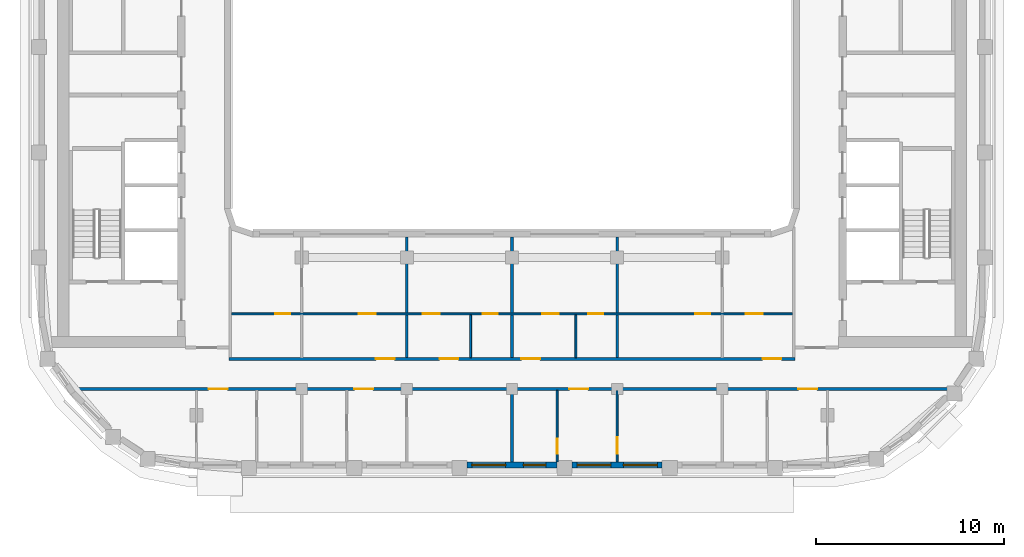
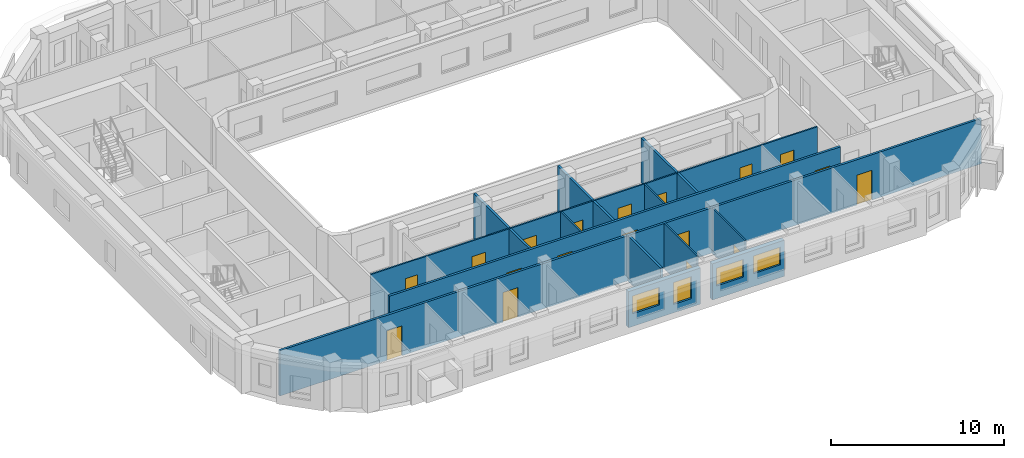
# One storey, part 3 of 16: 18 doors, 16 walls, 4 windows, 22 openings.
"""IFC4 building model written with IfcOpenShell, lengths in metres."""

import ifcopenshell
import ifcopenshell.guid

model = None  # the IFC model being written
_history = None  # IfcOwnerHistory: only IFC2X3 demands one
_inside = {}  # id of a spatial element -> (the spatial element, [elements in it])
_under = {}  # id of a project, library or spatial element -> (it, [spatial elements below it])
_declared = {}  # id of a project -> (the project, [libraries it declares])
_typed = {}  # id of a type object -> (the type object, [elements of that type])
_made_of = {}  # id of a material, layer set ... -> (it, [elements and type objects made of it])


def new_model(schema):
    """Start an empty IFC model of exactly this schema.

    Asked for "IFC4X3", IfcOpenShell would pick the latest addendum, in which some entities
    have other attributes; the version numbers below select the first issue.
    IFC2X3 requires an IfcOwnerHistory on every rooted entity: one is made here for all.
    """
    global model, _history
    if schema == "IFC4X3":
        model = ifcopenshell.file(schema_version=(4, 3, 0, 0))
    else:
        model = ifcopenshell.file(schema=schema)
    _inside.clear()
    _under.clear()
    _declared.clear()
    _typed.clear()
    _made_of.clear()
    _history = None
    if model.schema == "IFC2X3":
        org = make("IfcOrganization", Name="unknown")
        user = make(
            "IfcPersonAndOrganization",
            ThePerson=make("IfcPerson", FamilyName="unknown"),
            TheOrganization=org,
        )
        app = make(
            "IfcApplication",
            ApplicationDeveloper=org,
            Version="unknown",
            ApplicationFullName="unknown",
            ApplicationIdentifier="unknown",
        )
        _history = make(
            "IfcOwnerHistory",
            OwningUser=user,
            OwningApplication=app,
            ChangeAction="ADDED",
            CreationDate=0,
        )
    return model


def make(cls, **values):
    """One entity of the class cls with the attributes given. An attribute that is None is left unset."""
    return model.create_entity(
        cls, **{name: value for name, value in values.items() if value is not None}
    )


def rooted(cls, **values):
    """An entity with a GlobalId (a new one), such as an element, a storey or a relation."""
    return make(cls, GlobalId=ifcopenshell.guid.new(), OwnerHistory=_history, **values)


def si_unit(unit_type, name, prefix=None):
    """IfcSIUnit, for example si_unit("LENGTHUNIT", "METRE", prefix="MILLI")."""
    return make("IfcSIUnit", UnitType=unit_type, Prefix=prefix, Name=name)


def assignment(units):
    """IfcUnitAssignment: the units of a project."""
    return None if units is None else make("IfcUnitAssignment", Units=units)


def point(xyz):
    """IfcCartesianPoint."""
    return None if xyz is None else make("IfcCartesianPoint", Coordinates=xyz)


def direction(xyz):
    """IfcDirection."""
    return None if xyz is None else make("IfcDirection", DirectionRatios=xyz)


def frame(location, z_axis=None, x_axis=None):
    """IfcAxis2Placement3D, a coordinate frame: its origin and axes. An axis left out is left unset."""
    return make(
        "IfcAxis2Placement3D",
        Location=point(location),
        Axis=direction(z_axis),
        RefDirection=direction(x_axis),
    )


def frame_2d(location, x_axis=None):
    """IfcAxis2Placement2D, a coordinate frame in the plane: its origin and x axis."""
    return make(
        "IfcAxis2Placement2D", Location=point(location), RefDirection=direction(x_axis)
    )


def origin():
    """The frame at (0, 0, 0) with its axes left unset."""
    return frame((0.0, 0.0, 0.0))


def place(relative_to, where):
    """IfcLocalPlacement: puts the frame where relative to a parent placement (None: the world)."""
    return make(
        "IfcLocalPlacement", PlacementRelTo=relative_to, RelativePlacement=where
    )


def context(
    kind, dimensions, precision=None, world=None, true_north=None, identifier=None
):
    """IfcGeometricRepresentationContext, for example the 3D "Model" context."""
    return make(
        "IfcGeometricRepresentationContext",
        ContextIdentifier=identifier,
        ContextType=kind,
        CoordinateSpaceDimension=dimensions,
        Precision=precision,
        WorldCoordinateSystem=world,
        TrueNorth=true_north,
    )


def subcontext(parent, identifier, kind, view, scale=None):
    """IfcGeometricRepresentationSubContext, for example "Body" below "Model"."""
    return make(
        "IfcGeometricRepresentationSubContext",
        ContextIdentifier=identifier,
        ContextType=kind,
        ParentContext=parent,
        TargetScale=scale,
        TargetView=view,
    )


def project(units=None, contexts=None):
    """IfcProject with its units and contexts."""
    return rooted(
        "IfcProject",
        Name="project",
        RepresentationContexts=contexts,
        UnitsInContext=assignment(units),
    )


def spatial(cls, under=None, at=None, **own):
    """A site, building, storey or space (cls), placed at a placement, below another one or the project."""
    s = rooted(cls, ObjectPlacement=at, **own)
    if under is not None:
        _under.setdefault(under.id(), (under, []))[1].append(s)
    return s


def profile(cls, at=None, kind="AREA", **sizes):
    """A parametric profile (cls). Its sizes go by their IFC names, for example OverallWidth=200.0."""
    return make(cls, ProfileType=kind, Position=at, **sizes)


def rectangle(**sizes):
    """IfcRectangleProfileDef."""
    return profile("IfcRectangleProfileDef", **sizes)


def extrude(swept, where, along, depth):
    """IfcExtrudedAreaSolid: the profile swept, set in the frame where, extruded along a direction by depth."""
    return make(
        "IfcExtrudedAreaSolid",
        SweptArea=swept,
        Position=where,
        ExtrudedDirection=direction(along),
        Depth=depth,
    )


def shape(context_of_items, identifier, shape_type, items):
    """IfcShapeRepresentation: the items that make up one representation, for example the "Body"."""
    return make(
        "IfcShapeRepresentation",
        ContextOfItems=context_of_items,
        RepresentationIdentifier=identifier,
        RepresentationType=shape_type,
        Items=items,
    )


def material(Name=None, Category=None):
    """IfcMaterial."""
    return make("IfcMaterial", Name=Name, Category=Category)


def layer(
    of_material, thickness, ventilated=None, Name=None, Category=None, Priority=None
):
    """IfcMaterialLayer: one layer of a wall or slab, of a material (None: an air gap)."""
    return make(
        "IfcMaterialLayer",
        Material=of_material,
        LayerThickness=thickness,
        IsVentilated=ventilated,
        Name=Name,
        Category=Category,
        Priority=Priority,
    )


def layer_set(layers, Name=None):
    """IfcMaterialLayerSet."""
    return make("IfcMaterialLayerSet", MaterialLayers=layers, LayerSetName=Name)


def made_of(thing, what):
    """Note that an element or type object is made of a material, layer set ...; save() writes the relation."""
    if what is not None:
        _made_of.setdefault(what.id(), (what, []))[1].append(thing)
    return thing


def type_object(cls, material=None, **own):
    """A type object (cls), such as IfcWallType, which elements share."""
    return made_of(rooted(cls, **own), material)


def element(
    cls,
    number,
    at=None,
    inside=None,
    cuts=None,
    type_object=None,
    material=None,
    context=None,
    identifier="Body",
    shape_type=None,
    held_by="IfcProductDefinitionShape",
    body=None,
    shapes=None,
    **own,
):
    """One element of the class cls, such as IfcWall. Its Tag is "e" and its number.

    at: its placement. inside: the storey or other place that contains it. cuts: it is an
    opening in that element (IfcRelVoidsElement). A single representation is given by context,
    identifier, shape_type and body (its items); several are given by shapes. held_by: the class
    of the entity that holds the representations. save() writes the other relations.
    """
    e = rooted(cls, Tag="e%d" % number, ObjectPlacement=at, **own)
    if body is not None:
        shapes = [shape(context, identifier, shape_type, body)]
    if shapes is not None:
        e.Representation = make(held_by, Representations=shapes)
    if inside is not None:
        _inside.setdefault(inside.id(), (inside, []))[1].append(e)
    if cuts is not None:
        rooted(
            "IfcRelVoidsElement", RelatingBuildingElement=cuts, RelatedOpeningElement=e
        )
    if type_object is not None:
        _typed.setdefault(type_object.id(), (type_object, []))[1].append(e)
    return made_of(e, material)


def fill(opening, filler):
    """IfcRelFillsElement: the door or window that sits in an opening."""
    return rooted(
        "IfcRelFillsElement",
        RelatingOpeningElement=opening,
        RelatedBuildingElement=filler,
    )


def aggregate(whole, parts):
    """IfcRelAggregates: a whole, such as a stair, and the parts it consists of."""
    return rooted("IfcRelAggregates", RelatingObject=whole, RelatedObjects=parts)


def save(model, path):
    """Write the relations noted so far, then the file.

    IfcRelAggregates (storeys below a building ...), IfcRelContainedInSpatialStructure (elements
    in a storey), IfcRelDefinesByType, IfcRelAssociatesMaterial and IfcRelDeclares: one each for
    every whole, place, type object, material and project.
    """
    for whole, parts in _under.values():
        aggregate(whole, parts)
    for where, things in _inside.values():
        rooted(
            "IfcRelContainedInSpatialStructure",
            RelatedElements=things,
            RelatingStructure=where,
        )
    for kind, things in _typed.values():
        rooted("IfcRelDefinesByType", RelatedObjects=things, RelatingType=kind)
    for what, things in _made_of.values():
        rooted("IfcRelAssociatesMaterial", RelatedObjects=things, RelatingMaterial=what)
    for by, libraries in _declared.values():
        rooted("IfcRelDeclares", RelatingContext=by, RelatedDefinitions=libraries)
    model.write(path)


model = new_model("IFC4")

# Units and contexts
model_context = context("Model", 3, precision=1e-05, world=origin(), true_north=direction((0.0, 1.0)))
body_context = subcontext(model_context, "Body", "Model", "MODEL_VIEW")
ifc_project = project(units=[si_unit("LENGTHUNIT", "METRE"), si_unit("AREAUNIT", "SQUARE_METRE"), si_unit("VOLUMEUNIT", "CUBIC_METRE"), si_unit("PLANEANGLEUNIT", "RADIAN"), si_unit("MASSUNIT", "GRAM", prefix="KILO")], contexts=[model_context])

# Site, building, storey
site_placement = place(None, origin())
site = spatial("IfcSite", under=ifc_project, at=site_placement, CompositionType="ELEMENT")
building_placement = place(site_placement, origin())
building = spatial("IfcBuilding", under=site, at=building_placement, Name="Kiln Ring Residences", CompositionType="ELEMENT")
storey_placement = place(building_placement, frame((0.0, 0.0, 255.699951171875)))
storey = spatial("IfcBuildingStorey", under=building, at=storey_placement, Name="L66", CompositionType="ELEMENT", Elevation=255.699951171875)

# Wall, openings, windows
ifc_material_1 = material(Name="Brick masonry, dark clay brick", Category="masonry")
ifc_layer_1 = layer(ifc_material_1, 0.300048828125)
ifc_layer_set_1 = layer_set([ifc_layer_1], Name="EW-300 BRICK WALL")
wall_type_1 = type_object("IfcWallType", Name="EW-300 BRICK WALL", PredefinedType="SOLIDWALL", material=ifc_layer_set_1)
wall_1_placement = place(storey_placement, frame((-2.39990234375, -19.449951171875, 0.0), z_axis=(0.0, 0.0, 1.0), x_axis=(1.0, 0.0, 0.0)))
wall_1 = element("IfcWall", 1, at=wall_1_placement, inside=storey, type_object=wall_type_1, Name="Facade wall L66 7", PredefinedType="SOLIDWALL", context=body_context, shape_type="SweptSolid", body=[
    extrude(rectangle(XDim=4.7998046875, YDim=0.300048828125, at=frame_2d((2.39990234375, 0.0))), origin(), (0.0, 0.0, 1.0), 2.550048828125),
])
opening_1_placement = place(wall_1_placement, frame((0.262451171875, 0.0, 0.89990234375)))
opening_1 = element("IfcOpeningElement", 2, at=opening_1_placement, cuts=wall_1, Name="Opening W2", PredefinedType="OPENING", context=body_context, shape_type="SweptSolid", body=[
    extrude(rectangle(XDim=1.800048828125, YDim=1.25, at=frame_2d((0.89990234375, 0.625))), frame((0.0, 0.159912109375, 0.0), z_axis=(0.0, -1.0, 0.0), x_axis=(1.0, 0.0, 0.0)), (0.0, 0.0, 1.0), 0.320068359375),
])
opening_2_placement = place(wall_1_placement, frame((3.0, 0.0, 0.60009765625)))
opening_2 = element("IfcOpeningElement", 3, at=opening_2_placement, cuts=wall_1, Name="Opening W1", PredefinedType="OPENING", context=body_context, shape_type="SweptSolid", body=[
    extrude(rectangle(XDim=1.199951171875, YDim=1.550048828125, at=frame_2d((0.60009765625, 0.77490234375))), frame((0.0, 0.159912109375, 0.0), z_axis=(0.0, -1.0, 0.0), x_axis=(1.0, 0.0, 0.0)), (0.0, 0.0, 1.0), 0.320068359375),
])
ifc_material_2 = material(Name="Aluminium frame with double glazing", Category="aluminium")
window_type_1 = type_object("IfcWindowType", Name="WINDOW 1200 x 1550", PartitioningType="SINGLE_PANEL", PredefinedType="WINDOW", material=ifc_material_2)
window_1_placement = place(opening_2_placement, origin())
window_1 = element("IfcWindow", 4, at=window_1_placement, inside=storey, type_object=window_type_1, Name="Window L66 9", OverallHeight=1.550048828125, OverallWidth=1.199951171875, PartitioningType="SINGLE_PANEL", PredefinedType="WINDOW", context=body_context, shape_type="SweptSolid", body=[
    extrude(rectangle(XDim=1.199951171875, YDim=1.550048828125, at=frame_2d((0.60009765625, 0.77490234375))), frame((0.0, 0.030029296875, 0.0), z_axis=(0.0, -1.0, 0.0), x_axis=(1.0, 0.0, 0.0)), (0.0, 0.0, 1.0), 0.06005859375),
])
fill(opening_2, window_1)
ifc_material_3 = material(Name="Aluminium frame with double glazing", Category="aluminium")
window_type_2 = type_object("IfcWindowType", Name="WINDOW 1800 x 1250", PartitioningType="SINGLE_PANEL", PredefinedType="WINDOW", material=ifc_material_3)
window_2_placement = place(opening_1_placement, origin())
window_2 = element("IfcWindow", 5, at=window_2_placement, inside=storey, type_object=window_type_2, Name="Window L66 8", OverallHeight=1.25, OverallWidth=1.800048828125, PartitioningType="SINGLE_PANEL", PredefinedType="WINDOW", context=body_context, shape_type="SweptSolid", body=[
    extrude(rectangle(XDim=1.800048828125, YDim=1.25, at=frame_2d((0.89990234375, 0.625))), frame((0.0, 0.030029296875, 0.0), z_axis=(0.0, -1.0, 0.0), x_axis=(1.0, 0.0, 0.0)), (0.0, 0.0, 1.0), 0.06005859375),
])
fill(opening_1, window_2)

wall_2_placement = place(storey_placement, frame((3.199951171875, -19.449951171875, 0.0), z_axis=(0.0, 0.0, 1.0), x_axis=(1.0, 0.0, 0.0)))
wall_2 = element("IfcWall", 6, at=wall_2_placement, inside=storey, type_object=wall_type_1, Name="Facade wall L66 8", PredefinedType="SOLIDWALL", context=body_context, shape_type="SweptSolid", body=[
    extrude(rectangle(XDim=4.800048828125, YDim=0.300048828125, at=frame_2d((2.39990234375, 0.0))), origin(), (0.0, 0.0, 1.0), 2.550048828125),
])
opening_3_placement = place(wall_2_placement, frame((0.262451171875, 0.0, 0.89990234375)))
opening_3 = element("IfcOpeningElement", 7, at=opening_3_placement, cuts=wall_2, Name="Opening W2", PredefinedType="OPENING", context=body_context, shape_type="SweptSolid", body=[
    extrude(rectangle(XDim=1.800048828125, YDim=1.25, at=frame_2d((0.89990234375, 0.625))), frame((0.0, 0.159912109375, 0.0), z_axis=(0.0, -1.0, 0.0), x_axis=(1.0, 0.0, 0.0)), (0.0, 0.0, 1.0), 0.320068359375),
])
opening_4_placement = place(wall_2_placement, frame((2.737548828125, 0.0, 0.89990234375)))
opening_4 = element("IfcOpeningElement", 8, at=opening_4_placement, cuts=wall_2, Name="Opening W2", PredefinedType="OPENING", context=body_context, shape_type="SweptSolid", body=[
    extrude(rectangle(XDim=1.800048828125, YDim=1.25, at=frame_2d((0.89990234375, 0.625))), frame((0.0, 0.159912109375, 0.0), z_axis=(0.0, -1.0, 0.0), x_axis=(1.0, 0.0, 0.0)), (0.0, 0.0, 1.0), 0.320068359375),
])
window_3_placement = place(opening_3_placement, origin())
window_3 = element("IfcWindow", 9, at=window_3_placement, inside=storey, type_object=window_type_2, Name="Window L66 10", OverallHeight=1.25, OverallWidth=1.800048828125, PartitioningType="SINGLE_PANEL", PredefinedType="WINDOW", context=body_context, shape_type="SweptSolid", body=[
    extrude(rectangle(XDim=1.800048828125, YDim=1.25, at=frame_2d((0.89990234375, 0.625))), frame((0.0, 0.030029296875, 0.0), z_axis=(0.0, -1.0, 0.0), x_axis=(1.0, 0.0, 0.0)), (0.0, 0.0, 1.0), 0.06005859375),
])
fill(opening_3, window_3)
window_4_placement = place(opening_4_placement, origin())
window_4 = element("IfcWindow", 10, at=window_4_placement, inside=storey, type_object=window_type_2, Name="Window L66 11", OverallHeight=1.25, OverallWidth=1.800048828125, PartitioningType="SINGLE_PANEL", PredefinedType="WINDOW", context=body_context, shape_type="SweptSolid", body=[
    extrude(rectangle(XDim=1.800048828125, YDim=1.25, at=frame_2d((0.89990234375, 0.625))), frame((0.0, 0.030029296875, 0.0), z_axis=(0.0, -1.0, 0.0), x_axis=(1.0, 0.0, 0.0)), (0.0, 0.0, 1.0), 0.06005859375),
])
fill(opening_4, window_4)

# Wall, openings, doors
ifc_material_4 = material(Name="Gypsum board on steel studs", Category="steel")
ifc_layer_2 = layer(ifc_material_4, 0.10009765625)
ifc_layer_set_2 = layer_set([ifc_layer_2], Name="PARTITION-100")
wall_type_2 = type_object("IfcWallType", Name="PARTITION-100", PredefinedType="PARTITIONING", material=ifc_layer_set_2)
wall_3_placement = place(storey_placement, frame((-14.925048828125, -11.39990234375, 0.0), z_axis=(0.0, 0.0, 1.0), x_axis=(1.0, 0.0, 0.0)))
wall_3 = element("IfcWall", 11, at=wall_3_placement, inside=storey, type_object=wall_type_2, Name="Partition 004", PredefinedType="PARTITIONING", context=body_context, shape_type="SweptSolid", body=[
    extrude(rectangle(XDim=29.85009765625, YDim=0.10009765625, at=frame_2d((14.925048828125, 0.0))), origin(), (0.0, 0.0, 1.0), 3.199951171875),
])
opening_5_placement = place(wall_3_placement, frame((2.325927734375, 0.0, 0.0)))
opening_5 = element("IfcOpeningElement", 12, at=opening_5_placement, cuts=wall_3, Name="Opening L66-D032", PredefinedType="OPENING", context=body_context, shape_type="SweptSolid", body=[
    extrude(rectangle(XDim=0.800048828125, YDim=2.10009765625, at=frame_2d((0.39990234375, 1.050048828125))), frame((0.0, 0.06005859375, 0.0), z_axis=(0.0, -1.0, 0.0), x_axis=(1.0, 0.0, 0.0)), (0.0, 0.0, 1.0), 0.1201171875),
])
opening_6_placement = place(wall_3_placement, frame((6.77490234375, 0.0, 0.0)))
opening_6 = element("IfcOpeningElement", 13, at=opening_6_placement, cuts=wall_3, Name="Opening L66-D033", PredefinedType="OPENING", context=body_context, shape_type="SweptSolid", body=[
    extrude(rectangle(XDim=0.89990234375, YDim=2.10009765625, at=frame_2d((0.449951171875, 1.050048828125))), frame((0.0, 0.06005859375, 0.0), z_axis=(0.0, -1.0, 0.0), x_axis=(1.0, 0.0, 0.0)), (0.0, 0.0, 1.0), 0.1201171875),
])
opening_7_placement = place(wall_3_placement, frame((13.375, 0.0, 0.0)))
opening_7 = element("IfcOpeningElement", 14, at=opening_7_placement, cuts=wall_3, Name="Opening L66-D036", PredefinedType="OPENING", context=body_context, shape_type="SweptSolid", body=[
    extrude(rectangle(XDim=0.800048828125, YDim=2.10009765625, at=frame_2d((0.39990234375, 1.050048828125))), frame((0.0, 0.06005859375, 0.0), z_axis=(0.0, -1.0, 0.0), x_axis=(1.0, 0.0, 0.0)), (0.0, 0.0, 1.0), 0.1201171875),
])
opening_8_placement = place(wall_3_placement, frame((10.175048828125, 0.0, 0.0)))
opening_8 = element("IfcOpeningElement", 15, at=opening_8_placement, cuts=wall_3, Name="Opening L66-D037", PredefinedType="OPENING", context=body_context, shape_type="SweptSolid", body=[
    extrude(rectangle(XDim=0.89990234375, YDim=2.10009765625, at=frame_2d((0.449951171875, 1.050048828125))), frame((0.0, 0.06005859375, 0.0), z_axis=(0.0, -1.0, 0.0), x_axis=(1.0, 0.0, 0.0)), (0.0, 0.0, 1.0), 0.1201171875),
])
opening_9_placement = place(wall_3_placement, frame((18.97509765625, 0.0, 0.0)))
opening_9 = element("IfcOpeningElement", 16, at=opening_9_placement, cuts=wall_3, Name="Opening L66-D039", PredefinedType="OPENING", context=body_context, shape_type="SweptSolid", body=[
    extrude(rectangle(XDim=0.800048828125, YDim=2.10009765625, at=frame_2d((0.39990234375, 1.050048828125))), frame((0.0, 0.06005859375, 0.0), z_axis=(0.0, -1.0, 0.0), x_axis=(1.0, 0.0, 0.0)), (0.0, 0.0, 1.0), 0.1201171875),
])
opening_10_placement = place(wall_3_placement, frame((16.52490234375, 0.0, 0.0)))
opening_10 = element("IfcOpeningElement", 17, at=opening_10_placement, cuts=wall_3, Name="Opening L66-D040", PredefinedType="OPENING", context=body_context, shape_type="SweptSolid", body=[
    extrude(rectangle(XDim=0.89990234375, YDim=2.10009765625, at=frame_2d((0.449951171875, 1.050048828125))), frame((0.0, 0.06005859375, 0.0), z_axis=(0.0, -1.0, 0.0), x_axis=(1.0, 0.0, 0.0)), (0.0, 0.0, 1.0), 0.1201171875),
])
opening_11_placement = place(wall_3_placement, frame((24.675048828125, 0.0, 0.0)))
opening_11 = element("IfcOpeningElement", 18, at=opening_11_placement, cuts=wall_3, Name="Opening L66-D042", PredefinedType="OPENING", context=body_context, shape_type="SweptSolid", body=[
    extrude(rectangle(XDim=0.800048828125, YDim=2.10009765625, at=frame_2d((0.39990234375, 1.050048828125))), frame((0.0, 0.06005859375, 0.0), z_axis=(0.0, -1.0, 0.0), x_axis=(1.0, 0.0, 0.0)), (0.0, 0.0, 1.0), 0.1201171875),
])
opening_12_placement = place(wall_3_placement, frame((27.3740234375, 0.0, 0.0)))
opening_12 = element("IfcOpeningElement", 19, at=opening_12_placement, cuts=wall_3, Name="Opening L66-D043", PredefinedType="OPENING", context=body_context, shape_type="SweptSolid", body=[
    extrude(rectangle(XDim=0.89990234375, YDim=2.10009765625, at=frame_2d((0.449951171875, 1.050048828125))), frame((0.0, 0.06005859375, 0.0), z_axis=(0.0, -1.0, 0.0), x_axis=(1.0, 0.0, 0.0)), (0.0, 0.0, 1.0), 0.1201171875),
])
ifc_material_5 = material(Name="Timber door leaf", Category="wood")
door_type_1 = type_object("IfcDoorType", Name="FLAT-DOOR-800-PL", OperationType="SINGLE_SWING_LEFT", PredefinedType="DOOR", material=ifc_material_5)
door_1_placement = place(opening_5_placement, origin())
door_1 = element("IfcDoor", 20, at=door_1_placement, inside=storey, type_object=door_type_1, Name="Door L66-D032", OperationType="SINGLE_SWING_RIGHT", OverallHeight=2.10009765625, OverallWidth=0.800048828125, PredefinedType="DOOR", context=body_context, shape_type="SweptSolid", body=[
    extrude(rectangle(XDim=0.800048828125, YDim=2.10009765625, at=frame_2d((0.39990234375, 1.050048828125))), frame((0.0, 0.02490234375, 0.0), z_axis=(0.0, -1.0, 0.0), x_axis=(1.0, 0.0, 0.0)), (0.0, 0.0, 1.0), 0.050048828125),
])
fill(opening_5, door_1)
door_2_placement = place(opening_7_placement, origin())
door_2 = element("IfcDoor", 21, at=door_2_placement, inside=storey, type_object=door_type_1, Name="Door L66-D036", OperationType="SINGLE_SWING_RIGHT", OverallHeight=2.10009765625, OverallWidth=0.800048828125, PredefinedType="DOOR", context=body_context, shape_type="SweptSolid", body=[
    extrude(rectangle(XDim=0.800048828125, YDim=2.10009765625, at=frame_2d((0.39990234375, 1.050048828125))), frame((0.0, 0.02490234375, 0.0), z_axis=(0.0, -1.0, 0.0), x_axis=(1.0, 0.0, 0.0)), (0.0, 0.0, 1.0), 0.050048828125),
])
fill(opening_7, door_2)
door_3_placement = place(opening_9_placement, origin())
door_3 = element("IfcDoor", 22, at=door_3_placement, inside=storey, type_object=door_type_1, Name="Door L66-D039", OperationType="SINGLE_SWING_LEFT", OverallHeight=2.10009765625, OverallWidth=0.800048828125, PredefinedType="DOOR", context=body_context, shape_type="SweptSolid", body=[
    extrude(rectangle(XDim=0.800048828125, YDim=2.10009765625, at=frame_2d((0.39990234375, 1.050048828125))), frame((0.0, 0.02490234375, 0.0), z_axis=(0.0, -1.0, 0.0), x_axis=(1.0, 0.0, 0.0)), (0.0, 0.0, 1.0), 0.050048828125),
])
fill(opening_9, door_3)
door_4_placement = place(opening_11_placement, origin())
door_4 = element("IfcDoor", 23, at=door_4_placement, inside=storey, type_object=door_type_1, Name="Door L66-D042", OperationType="SINGLE_SWING_RIGHT", OverallHeight=2.10009765625, OverallWidth=0.800048828125, PredefinedType="DOOR", context=body_context, shape_type="SweptSolid", body=[
    extrude(rectangle(XDim=0.800048828125, YDim=2.10009765625, at=frame_2d((0.39990234375, 1.050048828125))), frame((0.0, 0.02490234375, 0.0), z_axis=(0.0, -1.0, 0.0), x_axis=(1.0, 0.0, 0.0)), (0.0, 0.0, 1.0), 0.050048828125),
])
fill(opening_11, door_4)
ifc_material_6 = material(Name="Timber door leaf", Category="wood")
door_type_2 = type_object("IfcDoorType", Name="FLAT-DOOR-900-PL", OperationType="SINGLE_SWING_LEFT", PredefinedType="DOOR", material=ifc_material_6)
door_5_placement = place(opening_6_placement, origin())
door_5 = element("IfcDoor", 24, at=door_5_placement, inside=storey, type_object=door_type_2, Name="Door L66-D033", OperationType="SINGLE_SWING_LEFT", OverallHeight=2.10009765625, OverallWidth=0.89990234375, PredefinedType="DOOR", context=body_context, shape_type="SweptSolid", body=[
    extrude(rectangle(XDim=0.89990234375, YDim=2.10009765625, at=frame_2d((0.449951171875, 1.050048828125))), frame((0.0, 0.02490234375, 0.0), z_axis=(0.0, -1.0, 0.0), x_axis=(1.0, 0.0, 0.0)), (0.0, 0.0, 1.0), 0.050048828125),
])
fill(opening_6, door_5)
door_6_placement = place(opening_8_placement, origin())
door_6 = element("IfcDoor", 25, at=door_6_placement, inside=storey, type_object=door_type_2, Name="Door L66-D037", OperationType="SINGLE_SWING_RIGHT", OverallHeight=2.10009765625, OverallWidth=0.89990234375, PredefinedType="DOOR", context=body_context, shape_type="SweptSolid", body=[
    extrude(rectangle(XDim=0.89990234375, YDim=2.10009765625, at=frame_2d((0.449951171875, 1.050048828125))), frame((0.0, 0.02490234375, 0.0), z_axis=(0.0, -1.0, 0.0), x_axis=(1.0, 0.0, 0.0)), (0.0, 0.0, 1.0), 0.050048828125),
])
fill(opening_8, door_6)
door_7_placement = place(opening_10_placement, origin())
door_7 = element("IfcDoor", 26, at=door_7_placement, inside=storey, type_object=door_type_2, Name="Door L66-D040", OperationType="SINGLE_SWING_LEFT", OverallHeight=2.10009765625, OverallWidth=0.89990234375, PredefinedType="DOOR", context=body_context, shape_type="SweptSolid", body=[
    extrude(rectangle(XDim=0.89990234375, YDim=2.10009765625, at=frame_2d((0.449951171875, 1.050048828125))), frame((0.0, 0.02490234375, 0.0), z_axis=(0.0, -1.0, 0.0), x_axis=(1.0, 0.0, 0.0)), (0.0, 0.0, 1.0), 0.050048828125),
])
fill(opening_10, door_7)
door_8_placement = place(opening_12_placement, origin())
door_8 = element("IfcDoor", 27, at=door_8_placement, inside=storey, type_object=door_type_2, Name="Door L66-D043", OperationType="SINGLE_SWING_RIGHT", OverallHeight=2.10009765625, OverallWidth=0.89990234375, PredefinedType="DOOR", context=body_context, shape_type="SweptSolid", body=[
    extrude(rectangle(XDim=0.89990234375, YDim=2.10009765625, at=frame_2d((0.449951171875, 1.050048828125))), frame((0.0, 0.02490234375, 0.0), z_axis=(0.0, -1.0, 0.0), x_axis=(1.0, 0.0, 0.0)), (0.0, 0.0, 1.0), 0.050048828125),
])
fill(opening_12, door_8)

# Wall
wall_4_placement = place(storey_placement, frame((-2.199951171875, -13.72509765625, 0.0), z_axis=(0.0, 0.0, 1.0), x_axis=(0.0, 1.0, 0.0)))
element("IfcWall", 28, at=wall_4_placement, inside=storey, type_object=wall_type_2, Name="Partition 031", PredefinedType="PARTITIONING", context=body_context, shape_type="SweptSolid", body=[
    extrude(rectangle(XDim=2.275146484375, YDim=0.10009765625, at=frame_2d((1.1376953125, 0.0))), origin(), (0.0, 0.0, 1.0), 3.199951171875),
])

# Wall, opening, door
wall_5_placement = place(storey_placement, frame((2.39990234375, -19.280029296875, 0.0), z_axis=(0.0, 0.0, 1.0), x_axis=(0.0, 1.0, 0.0)))
wall_5 = element("IfcWall", 29, at=wall_5_placement, inside=storey, type_object=wall_type_2, Name="Partition 038", PredefinedType="PARTITIONING", context=body_context, shape_type="SweptSolid", body=[
    extrude(rectangle(XDim=3.804931640625, YDim=0.10009765625, at=frame_2d((1.90234375, 0.0))), origin(), (0.0, 0.0, 1.0), 3.199951171875),
])
opening_13_placement = place(wall_5_placement, frame((0.428955078125, 0.0, 0.0)))
opening_13 = element("IfcOpeningElement", 30, at=opening_13_placement, cuts=wall_5, Name="Opening L66-D052", PredefinedType="OPENING", context=body_context, shape_type="SweptSolid", body=[
    extrude(rectangle(XDim=0.800048828125, YDim=2.10009765625, at=frame_2d((0.39990234375, 1.050048828125))), frame((0.0, 0.06005859375, 0.0), z_axis=(0.0, -1.0, 0.0), x_axis=(1.0, 0.0, 0.0)), (0.0, 0.0, 1.0), 0.1201171875),
])
door_9_placement = place(opening_13_placement, origin())
door_9 = element("IfcDoor", 31, at=door_9_placement, inside=storey, type_object=door_type_1, Name="Door L66-D052", OperationType="SINGLE_SWING_RIGHT", OverallHeight=2.10009765625, OverallWidth=0.800048828125, PredefinedType="DOOR", context=body_context, shape_type="SweptSolid", body=[
    extrude(rectangle(XDim=0.800048828125, YDim=2.10009765625, at=frame_2d((0.39990234375, 1.050048828125))), frame((0.0, 0.02490234375, 0.0), z_axis=(0.0, -1.0, 0.0), x_axis=(1.0, 0.0, 0.0)), (0.0, 0.0, 1.0), 0.050048828125),
])
fill(opening_13, door_9)

# Wall
wall_6_placement = place(storey_placement, frame((3.39990234375, -13.72509765625, 0.0), z_axis=(0.0, 0.0, 1.0), x_axis=(0.0, 1.0, 0.0)))
element("IfcWall", 32, at=wall_6_placement, inside=storey, type_object=wall_type_2, Name="Partition 040", PredefinedType="PARTITIONING", context=body_context, shape_type="SweptSolid", body=[
    extrude(rectangle(XDim=2.275146484375, YDim=0.10009765625, at=frame_2d((1.1376953125, 0.0))), origin(), (0.0, 0.0, 1.0), 3.199951171875),
])

# Wall, opening, door
wall_7_placement = place(storey_placement, frame((5.60009765625, -19.280029296875, 0.0), z_axis=(0.0, 0.0, 1.0), x_axis=(0.0, 1.0, 0.0)))
wall_7 = element("IfcWall", 33, at=wall_7_placement, inside=storey, type_object=wall_type_2, Name="Partition 041", PredefinedType="PARTITIONING", context=body_context, shape_type="SweptSolid", body=[
    extrude(rectangle(XDim=3.804931640625, YDim=0.10009765625, at=frame_2d((1.90234375, 0.0))), origin(), (0.0, 0.0, 1.0), 3.199951171875),
])
opening_14_placement = place(wall_7_placement, frame((0.419921875, 0.0, 0.0)))
opening_14 = element("IfcOpeningElement", 34, at=opening_14_placement, cuts=wall_7, Name="Opening L66-D053", PredefinedType="OPENING", context=body_context, shape_type="SweptSolid", body=[
    extrude(rectangle(XDim=0.89990234375, YDim=2.10009765625, at=frame_2d((0.449951171875, 1.050048828125))), frame((0.0, 0.06005859375, 0.0), z_axis=(0.0, -1.0, 0.0), x_axis=(1.0, 0.0, 0.0)), (0.0, 0.0, 1.0), 0.1201171875),
])
door_10_placement = place(opening_14_placement, origin())
door_10 = element("IfcDoor", 35, at=door_10_placement, inside=storey, type_object=door_type_2, Name="Door L66-D053", OperationType="SINGLE_SWING_LEFT", OverallHeight=2.10009765625, OverallWidth=0.89990234375, PredefinedType="DOOR", context=body_context, shape_type="SweptSolid", body=[
    extrude(rectangle(XDim=0.89990234375, YDim=2.10009765625, at=frame_2d((0.449951171875, 1.050048828125))), frame((0.0, 0.02490234375, 0.0), z_axis=(0.0, -1.0, 0.0), x_axis=(1.0, 0.0, 0.0)), (0.0, 0.0, 1.0), 0.050048828125),
])
fill(opening_14, door_10)

# Wall, openings, doors
ifc_material_7 = material(Name="Brick masonry partition", Category="masonry")
ifc_layer_3 = layer(ifc_material_7, 0.14990234375)
ifc_layer_set_3 = layer_set([ifc_layer_3], Name="PARTITION-150-ei60")
wall_type_3 = type_object("IfcWallType", Name="PARTITION-150-ei60", PredefinedType="PARTITIONING", material=ifc_layer_set_3)
wall_8_placement = place(storey_placement, frame((-23.322021484375, -15.39990234375, 0.0), z_axis=(0.0, 0.0, 1.0), x_axis=(1.0, 0.0, 0.0)))
wall_8 = element("IfcWall", 36, at=wall_8_placement, inside=storey, type_object=wall_type_3, Name="Partition 000", PredefinedType="PARTITIONING", context=body_context, shape_type="SweptSolid", body=[
    extrude(rectangle(XDim=46.8720703125, YDim=0.14990234375, at=frame_2d((23.43603515625, 0.0))), origin(), (0.0, 0.0, 1.0), 3.199951171875),
])
opening_15_placement = place(wall_8_placement, frame((7.172119140625, 0.0, 0.0)))
opening_15 = element("IfcOpeningElement", 37, at=opening_15_placement, cuts=wall_8, Name="Opening L66-D045", PredefinedType="OPENING", context=body_context, shape_type="SweptSolid", body=[
    extrude(rectangle(XDim=1.0, YDim=2.10009765625, at=frame_2d((0.5, 1.050048828125))), frame((0.0, 0.0849609375, 0.0), z_axis=(0.0, -1.0, 0.0), x_axis=(1.0, 0.0, 0.0)), (0.0, 0.0, 1.0), 0.169921875),
])
opening_16_placement = place(wall_8_placement, frame((14.922119140625, 0.0, 0.0)))
opening_16 = element("IfcOpeningElement", 38, at=opening_16_placement, cuts=wall_8, Name="Opening L66-D048", PredefinedType="OPENING", context=body_context, shape_type="SweptSolid", body=[
    extrude(rectangle(XDim=1.0, YDim=2.10009765625, at=frame_2d((0.5, 1.050048828125))), frame((0.0, 0.0849609375, 0.0), z_axis=(0.0, -1.0, 0.0), x_axis=(1.0, 0.0, 0.0)), (0.0, 0.0, 1.0), 0.169921875),
])
opening_17_placement = place(wall_8_placement, frame((26.3720703125, 0.0, 0.0)))
opening_17 = element("IfcOpeningElement", 39, at=opening_17_placement, cuts=wall_8, Name="Opening L66-D051", PredefinedType="OPENING", context=body_context, shape_type="SweptSolid", body=[
    extrude(rectangle(XDim=1.0, YDim=2.10009765625, at=frame_2d((0.5, 1.050048828125))), frame((0.0, 0.0849609375, 0.0), z_axis=(0.0, -1.0, 0.0), x_axis=(1.0, 0.0, 0.0)), (0.0, 0.0, 1.0), 0.169921875),
])
opening_18_placement = place(wall_8_placement, frame((38.572021484375, 0.0, 0.0)))
opening_18 = element("IfcOpeningElement", 40, at=opening_18_placement, cuts=wall_8, Name="Opening L66-D054", PredefinedType="OPENING", context=body_context, shape_type="SweptSolid", body=[
    extrude(rectangle(XDim=1.0, YDim=2.10009765625, at=frame_2d((0.5, 1.050048828125))), frame((0.0, 0.0849609375, 0.0), z_axis=(0.0, -1.0, 0.0), x_axis=(1.0, 0.0, 0.0)), (0.0, 0.0, 1.0), 0.169921875),
])
ifc_material_8 = material(Name="Steel faced fire door leaf", Category="steel")
door_type_3 = type_object("IfcDoorType", Name="FLAT-DOOR-1000-FR", OperationType="SINGLE_SWING_LEFT", PredefinedType="DOOR", material=ifc_material_8)
door_11_placement = place(opening_15_placement, origin())
door_11 = element("IfcDoor", 41, at=door_11_placement, inside=storey, type_object=door_type_3, Name="Door L66-D045", OperationType="SINGLE_SWING_LEFT", OverallHeight=2.10009765625, OverallWidth=1.0, PredefinedType="DOOR", context=body_context, shape_type="SweptSolid", body=[
    extrude(rectangle(XDim=1.0, YDim=2.10009765625, at=frame_2d((0.5, 1.050048828125))), frame((0.0, 0.02490234375, 0.0), z_axis=(0.0, -1.0, 0.0), x_axis=(1.0, 0.0, 0.0)), (0.0, 0.0, 1.0), 0.050048828125),
])
fill(opening_15, door_11)
door_12_placement = place(opening_16_placement, origin())
door_12 = element("IfcDoor", 42, at=door_12_placement, inside=storey, type_object=door_type_3, Name="Door L66-D048", OperationType="SINGLE_SWING_LEFT", OverallHeight=2.10009765625, OverallWidth=1.0, PredefinedType="DOOR", context=body_context, shape_type="SweptSolid", body=[
    extrude(rectangle(XDim=1.0, YDim=2.10009765625, at=frame_2d((0.5, 1.050048828125))), frame((0.0, 0.02490234375, 0.0), z_axis=(0.0, -1.0, 0.0), x_axis=(1.0, 0.0, 0.0)), (0.0, 0.0, 1.0), 0.050048828125),
])
fill(opening_16, door_12)
door_13_placement = place(opening_17_placement, origin())
door_13 = element("IfcDoor", 43, at=door_13_placement, inside=storey, type_object=door_type_3, Name="Door L66-D051", OperationType="SINGLE_SWING_LEFT", OverallHeight=2.10009765625, OverallWidth=1.0, PredefinedType="DOOR", context=body_context, shape_type="SweptSolid", body=[
    extrude(rectangle(XDim=1.0, YDim=2.10009765625, at=frame_2d((0.5, 1.050048828125))), frame((0.0, 0.02490234375, 0.0), z_axis=(0.0, -1.0, 0.0), x_axis=(1.0, 0.0, 0.0)), (0.0, 0.0, 1.0), 0.050048828125),
])
fill(opening_17, door_13)
door_14_placement = place(opening_18_placement, origin())
door_14 = element("IfcDoor", 44, at=door_14_placement, inside=storey, type_object=door_type_3, Name="Door L66-D054", OperationType="SINGLE_SWING_RIGHT", OverallHeight=2.10009765625, OverallWidth=1.0, PredefinedType="DOOR", context=body_context, shape_type="SweptSolid", body=[
    extrude(rectangle(XDim=1.0, YDim=2.10009765625, at=frame_2d((0.5, 1.050048828125))), frame((0.0, 0.02490234375, 0.0), z_axis=(0.0, -1.0, 0.0), x_axis=(1.0, 0.0, 0.0)), (0.0, 0.0, 1.0), 0.050048828125),
])
fill(opening_18, door_14)

wall_9_placement = place(storey_placement, frame((-15.074951171875, -13.800048828125, 0.0), z_axis=(0.0, 0.0, 1.0), x_axis=(1.0, 0.0, 0.0)))
wall_9 = element("IfcWall", 45, at=wall_9_placement, inside=storey, type_object=wall_type_3, Name="Partition 001", PredefinedType="PARTITIONING", context=body_context, shape_type="SweptSolid", body=[
    extrude(rectangle(XDim=30.14990234375, YDim=0.14990234375, at=frame_2d((15.074951171875, 0.0))), origin(), (0.0, 0.0, 1.0), 3.199951171875),
])
opening_19_placement = place(wall_9_placement, frame((7.824951171875, 0.0, 0.0)))
opening_19 = element("IfcOpeningElement", 46, at=opening_19_placement, cuts=wall_9, Name="Opening L66-D031", PredefinedType="OPENING", context=body_context, shape_type="SweptSolid", body=[
    extrude(rectangle(XDim=1.0, YDim=2.10009765625, at=frame_2d((0.5, 1.050048828125))), frame((0.0, 0.0849609375, 0.0), z_axis=(0.0, -1.0, 0.0), x_axis=(1.0, 0.0, 0.0)), (0.0, 0.0, 1.0), 0.169921875),
])
opening_20_placement = place(wall_9_placement, frame((11.22509765625, 0.0, 0.0)))
opening_20 = element("IfcOpeningElement", 47, at=opening_20_placement, cuts=wall_9, Name="Opening L66-D035", PredefinedType="OPENING", context=body_context, shape_type="SweptSolid", body=[
    extrude(rectangle(XDim=1.0, YDim=2.10009765625, at=frame_2d((0.5, 1.050048828125))), frame((0.0, 0.0849609375, 0.0), z_axis=(0.0, -1.0, 0.0), x_axis=(1.0, 0.0, 0.0)), (0.0, 0.0, 1.0), 0.169921875),
])
opening_21_placement = place(wall_9_placement, frame((15.574951171875, 0.0, 0.0)))
opening_21 = element("IfcOpeningElement", 48, at=opening_21_placement, cuts=wall_9, Name="Opening L66-D038", PredefinedType="OPENING", context=body_context, shape_type="SweptSolid", body=[
    extrude(rectangle(XDim=1.0, YDim=2.10009765625, at=frame_2d((0.5, 1.050048828125))), frame((0.0, 0.0849609375, 0.0), z_axis=(0.0, -1.0, 0.0), x_axis=(1.0, 0.0, 0.0)), (0.0, 0.0, 1.0), 0.169921875),
])
opening_22_placement = place(wall_9_placement, frame((28.424072265625, 0.0, 0.0)))
opening_22 = element("IfcOpeningElement", 49, at=opening_22_placement, cuts=wall_9, Name="Opening L66-D041", PredefinedType="OPENING", context=body_context, shape_type="SweptSolid", body=[
    extrude(rectangle(XDim=1.0, YDim=2.10009765625, at=frame_2d((0.5, 1.050048828125))), frame((0.0, 0.0849609375, 0.0), z_axis=(0.0, -1.0, 0.0), x_axis=(1.0, 0.0, 0.0)), (0.0, 0.0, 1.0), 0.169921875),
])
door_15_placement = place(opening_19_placement, origin())
door_15 = element("IfcDoor", 50, at=door_15_placement, inside=storey, type_object=door_type_3, Name="Door L66-D031", OperationType="SINGLE_SWING_LEFT", OverallHeight=2.10009765625, OverallWidth=1.0, PredefinedType="DOOR", context=body_context, shape_type="SweptSolid", body=[
    extrude(rectangle(XDim=1.0, YDim=2.10009765625, at=frame_2d((0.5, 1.050048828125))), frame((0.0, 0.02490234375, 0.0), z_axis=(0.0, -1.0, 0.0), x_axis=(1.0, 0.0, 0.0)), (0.0, 0.0, 1.0), 0.050048828125),
])
fill(opening_19, door_15)
door_16_placement = place(opening_20_placement, origin())
door_16 = element("IfcDoor", 51, at=door_16_placement, inside=storey, type_object=door_type_3, Name="Door L66-D035", OperationType="SINGLE_SWING_LEFT", OverallHeight=2.10009765625, OverallWidth=1.0, PredefinedType="DOOR", context=body_context, shape_type="SweptSolid", body=[
    extrude(rectangle(XDim=1.0, YDim=2.10009765625, at=frame_2d((0.5, 1.050048828125))), frame((0.0, 0.02490234375, 0.0), z_axis=(0.0, -1.0, 0.0), x_axis=(1.0, 0.0, 0.0)), (0.0, 0.0, 1.0), 0.050048828125),
])
fill(opening_20, door_16)
door_17_placement = place(opening_21_placement, origin())
door_17 = element("IfcDoor", 52, at=door_17_placement, inside=storey, type_object=door_type_3, Name="Door L66-D038", OperationType="SINGLE_SWING_RIGHT", OverallHeight=2.10009765625, OverallWidth=1.0, PredefinedType="DOOR", context=body_context, shape_type="SweptSolid", body=[
    extrude(rectangle(XDim=1.0, YDim=2.10009765625, at=frame_2d((0.5, 1.050048828125))), frame((0.0, 0.02490234375, 0.0), z_axis=(0.0, -1.0, 0.0), x_axis=(1.0, 0.0, 0.0)), (0.0, 0.0, 1.0), 0.050048828125),
])
fill(opening_21, door_17)
door_18_placement = place(opening_22_placement, origin())
door_18 = element("IfcDoor", 53, at=door_18_placement, inside=storey, type_object=door_type_3, Name="Door L66-D041", OperationType="SINGLE_SWING_LEFT", OverallHeight=2.10009765625, OverallWidth=1.0, PredefinedType="DOOR", context=body_context, shape_type="SweptSolid", body=[
    extrude(rectangle(XDim=1.0, YDim=2.10009765625, at=frame_2d((0.5, 1.050048828125))), frame((0.0, 0.02490234375, 0.0), z_axis=(0.0, -1.0, 0.0), x_axis=(1.0, 0.0, 0.0)), (0.0, 0.0, 1.0), 0.050048828125),
])
fill(opening_22, door_18)

# Walls
wall_10_placement = place(storey_placement, frame((-5.60009765625, -13.72509765625, 0.0), z_axis=(0.0, 0.0, 1.0), x_axis=(0.0, 1.0, 0.0)))
element("IfcWall", 54, at=wall_10_placement, inside=storey, type_object=wall_type_3, Name="Partition 025", PredefinedType="PARTITIONING", context=body_context, shape_type="SweptSolid", body=[
    extrude(rectangle(XDim=2.275146484375, YDim=0.14990234375, at=frame_2d((1.1376953125, 0.0))), origin(), (0.0, 0.0, 1.0), 3.199951171875),
])
wall_11_placement = place(storey_placement, frame((-5.60009765625, -11.35009765625, 0.0), z_axis=(0.0, 0.0, 1.0), x_axis=(0.0, 1.0, 0.0)))
element("IfcWall", 55, at=wall_11_placement, inside=storey, type_object=wall_type_3, Name="Partition 026", PredefinedType="PARTITIONING", context=body_context, shape_type="SweptSolid", body=[
    extrude(rectangle(XDim=4.030029296875, YDim=0.14990234375, at=frame_2d((2.01513671875, 0.0))), origin(), (0.0, 0.0, 1.0), 3.199951171875),
])
wall_12_placement = place(storey_placement, frame((0.0, -19.280029296875, 0.0), z_axis=(0.0, 0.0, 1.0), x_axis=(0.0, 1.0, 0.0)))
element("IfcWall", 56, at=wall_12_placement, inside=storey, type_object=wall_type_3, Name="Partition 034", PredefinedType="PARTITIONING", context=body_context, shape_type="SweptSolid", body=[
    extrude(rectangle(XDim=3.804931640625, YDim=0.14990234375, at=frame_2d((1.90234375, 0.0))), origin(), (0.0, 0.0, 1.0), 3.199951171875),
])
wall_13_placement = place(storey_placement, frame((0.0, -13.72509765625, 0.0), z_axis=(0.0, 0.0, 1.0), x_axis=(0.0, 1.0, 0.0)))
element("IfcWall", 57, at=wall_13_placement, inside=storey, type_object=wall_type_3, Name="Partition 035", PredefinedType="PARTITIONING", context=body_context, shape_type="SweptSolid", body=[
    extrude(rectangle(XDim=2.275146484375, YDim=0.14990234375, at=frame_2d((1.1376953125, 0.0))), origin(), (0.0, 0.0, 1.0), 3.199951171875),
])
wall_14_placement = place(storey_placement, frame((0.0, -11.35009765625, 0.0), z_axis=(0.0, 0.0, 1.0), x_axis=(0.0, 1.0, 0.0)))
element("IfcWall", 58, at=wall_14_placement, inside=storey, type_object=wall_type_3, Name="Partition 036", PredefinedType="PARTITIONING", context=body_context, shape_type="SweptSolid", body=[
    extrude(rectangle(XDim=4.030029296875, YDim=0.14990234375, at=frame_2d((2.01513671875, 0.0))), origin(), (0.0, 0.0, 1.0), 3.199951171875),
])
wall_15_placement = place(storey_placement, frame((5.60009765625, -13.72509765625, 0.0), z_axis=(0.0, 0.0, 1.0), x_axis=(0.0, 1.0, 0.0)))
element("IfcWall", 59, at=wall_15_placement, inside=storey, type_object=wall_type_3, Name="Partition 043", PredefinedType="PARTITIONING", context=body_context, shape_type="SweptSolid", body=[
    extrude(rectangle(XDim=2.275146484375, YDim=0.14990234375, at=frame_2d((1.1376953125, 0.0))), origin(), (0.0, 0.0, 1.0), 3.199951171875),
])
wall_16_placement = place(storey_placement, frame((5.60009765625, -11.35009765625, 0.0), z_axis=(0.0, 0.0, 1.0), x_axis=(0.0, 1.0, 0.0)))
element("IfcWall", 60, at=wall_16_placement, inside=storey, type_object=wall_type_3, Name="Partition 044", PredefinedType="PARTITIONING", context=body_context, shape_type="SweptSolid", body=[
    extrude(rectangle(XDim=4.030029296875, YDim=0.14990234375, at=frame_2d((2.01513671875, 0.0))), origin(), (0.0, 0.0, 1.0), 3.199951171875),
])

save(model, "model.ifc")
